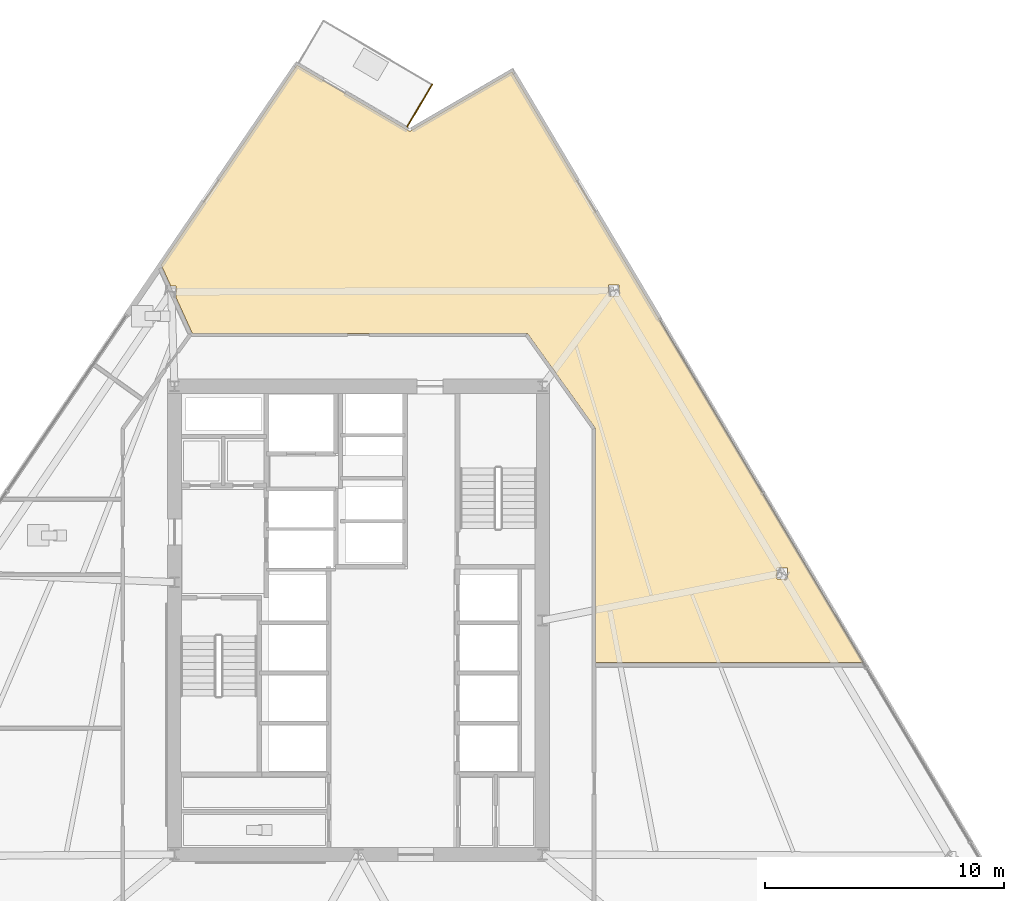
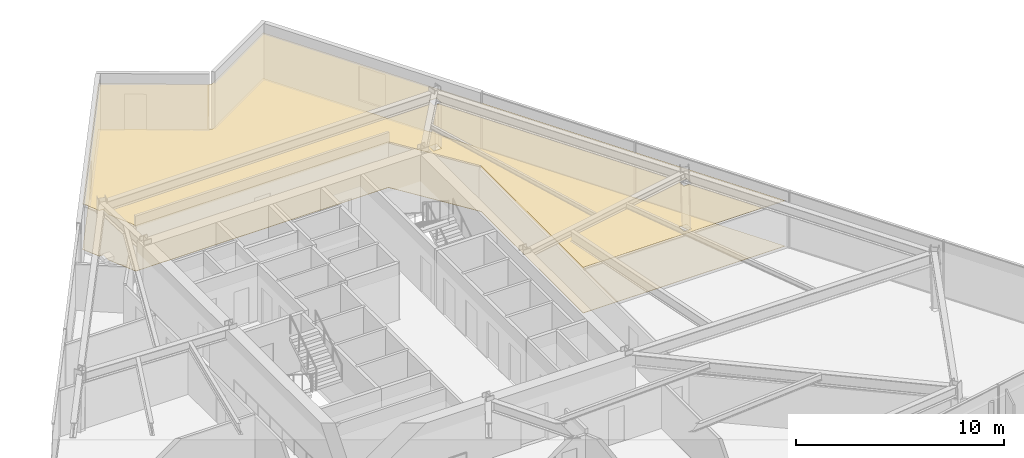
# One storey, part 17 of 18: 2 coverings, 1 railing.
"""IFC4 building model written with IfcOpenShell, lengths in metres."""

from ifc_helpers import new_model, si_unit, direction, frame, origin, origin_2d, place, context, subcontext, project, spatial, polyline, circle, outline, extrude, material, layer, layer_set, type_object, element, save


model = new_model("IFC4")

# Units and contexts
model_context = context("Model", 3, precision=1e-05, world=origin(), true_north=direction((0.0, 1.0)))
body_context = subcontext(model_context, "Body", "Model", "MODEL_VIEW")
ifc_project = project(units=[si_unit("LENGTHUNIT", "METRE"), si_unit("AREAUNIT", "SQUARE_METRE"), si_unit("VOLUMEUNIT", "CUBIC_METRE"), si_unit("PLANEANGLEUNIT", "RADIAN"), si_unit("MASSUNIT", "GRAM", prefix="KILO")], contexts=[model_context])

# Site, building, storey
site_placement = place(None, origin())
site = spatial("IfcSite", under=ifc_project, at=site_placement, CompositionType="ELEMENT")
building_placement = place(site_placement, origin())
building = spatial("IfcBuilding", under=site, at=building_placement, Name="Savorim Split Tower", CompositionType="ELEMENT")
storey_placement = place(building_placement, frame((0.0, 0.0, 40.800048828125)))
storey = spatial("IfcBuildingStorey", under=building, at=storey_placement, Name="L10", CompositionType="ELEMENT", Elevation=40.800048828125)

# Coverings
ifc_material_1 = material(Name="Mineral Fibre Acoustic Ceiling")
ifc_layer_1 = layer(ifc_material_1, 0.02490234375)
ifc_layer_set_1 = layer_set([ifc_layer_1], Name="COV-CEIL-25")
covering_type_1 = type_object("IfcCoveringType", Name="COV-CEIL-25", PredefinedType="CEILING", material=ifc_layer_set_1)
covering_1_placement = place(storey_placement, frame((0.0, 0.0, 2.669921875)))
element("IfcCovering", 1, at=covering_1_placement, inside=storey, type_object=covering_type_1, Name="L10 Co-Working Commons Acoustic Ceiling", PredefinedType="CEILING", context=body_context, shape_type="SweptSolid", body=[
    extrude(outline(polyline([(2.110107421875, 20.895263671875), (2.099365234375, 20.899658203125), (2.089111328125, 20.90478515625), (-2.572509765625, 23.644775390625), (-8.281005859375, 15.253173828125), (-8.249267578125, 15.267578125), (-7.8515625, 14.3935546875), (-7.6318359375, 14.3935546875), (-7.6318359375, 13.927490234375), (-7.639404296875, 13.927490234375), (-6.96630859375, 12.44873046875), (-6.953369140625, 12.419921875), (7.0, 12.419921875), (7.01318359375, 12.41943359375), (7.0263671875, 12.41748046875), (7.039306640625, 12.414306640625), (7.052001953125, 12.409912109375), (7.06396484375, 12.404541015625), (7.075439453125, 12.39794921875), (7.086181640625, 12.39013671875), (7.096435546875, 12.381591796875), (7.105712890625, 12.3720703125), (7.11376953125, 12.361572265625), (9.893798828125, 8.4814453125), (9.901611328125, 8.46923828125), (9.908203125, 8.456298828125), (9.913330078125, 8.44287109375), (9.9169921875, 8.4287109375), (9.919189453125, 8.41455078125), (9.919921875, 8.39990234375), (9.919921875, -1.370361328125), (21.139404296875, -1.370361328125), (6.431396484375, 23.36474609375), (2.21044921875, 20.90478515625), (2.2001953125, 20.8994140625), (2.189453125, 20.89501953125), (2.178466796875, 20.891845703125), (2.1669921875, 20.8896484375), (2.155517578125, 20.888427734375), (2.14404296875, 20.888427734375), (2.132568359375, 20.8896484375), (2.12109375, 20.891845703125), (2.110107421875, 20.895263671875)]), holes=[polyline([(17.9609375, 2.1240234375), (17.9609375, 2.590087890625), (17.52490234375, 2.590087890625), (17.52490234375, 2.1240234375), (17.9609375, 2.1240234375)]), polyline([(10.913330078125, 14.4423828125), (10.477294921875, 14.4423828125), (10.477294921875, 13.976318359375), (10.913330078125, 13.976318359375), (10.913330078125, 14.4423828125)])]), origin(), (0.0, 0.0, 1.0), 0.025146484375),
])
ifc_material_2 = material(Name="Porcelain Stoneware Flooring", Category="masonry")
ifc_layer_2 = layer(ifc_material_2, 0.02001953125)
ifc_layer_set_2 = layer_set([ifc_layer_2], Name="COV-FLOR-20")
covering_type_2 = type_object("IfcCoveringType", Name="COV-FLOR-20", PredefinedType="FLOORING", material=ifc_layer_set_2)
covering_2_placement = place(storey_placement, origin())
element("IfcCovering", 2, at=covering_2_placement, inside=storey, type_object=covering_type_2, Name="L10 Co-Working Commons Porcelain Flooring", PredefinedType="FLOORING", context=body_context, shape_type="SweptSolid", body=[
    extrude(outline(polyline([(2.110107421875, 20.895263671875), (2.099365234375, 20.899658203125), (2.089111328125, 20.90478515625), (-2.572509765625, 23.644775390625), (-8.281005859375, 15.253173828125), (-8.249267578125, 15.267578125), (-7.8515625, 14.3935546875), (-7.6318359375, 14.3935546875), (-7.6318359375, 13.927490234375), (-7.639404296875, 13.927490234375), (-6.96630859375, 12.44873046875), (-6.953369140625, 12.419921875), (7.0, 12.419921875), (7.01318359375, 12.41943359375), (7.0263671875, 12.41748046875), (7.039306640625, 12.414306640625), (7.052001953125, 12.409912109375), (7.06396484375, 12.404541015625), (7.075439453125, 12.39794921875), (7.086181640625, 12.39013671875), (7.096435546875, 12.381591796875), (7.105712890625, 12.3720703125), (7.11376953125, 12.361572265625), (9.893798828125, 8.4814453125), (9.901611328125, 8.46923828125), (9.908203125, 8.456298828125), (9.913330078125, 8.44287109375), (9.9169921875, 8.4287109375), (9.919189453125, 8.41455078125), (9.919921875, 8.39990234375), (9.919921875, -1.370361328125), (21.139404296875, -1.370361328125), (6.431396484375, 23.36474609375), (2.21044921875, 20.90478515625), (2.2001953125, 20.8994140625), (2.189453125, 20.89501953125), (2.178466796875, 20.891845703125), (2.1669921875, 20.8896484375), (2.155517578125, 20.888427734375), (2.14404296875, 20.888427734375), (2.132568359375, 20.8896484375), (2.12109375, 20.891845703125), (2.110107421875, 20.895263671875)]), holes=[polyline([(17.9609375, 2.1240234375), (17.9609375, 2.590087890625), (17.52490234375, 2.590087890625), (17.52490234375, 2.1240234375), (17.9609375, 2.1240234375)]), polyline([(10.913330078125, 14.4423828125), (10.477294921875, 14.4423828125), (10.477294921875, 13.976318359375), (10.913330078125, 13.976318359375), (10.913330078125, 14.4423828125)])]), origin(), (0.0, 0.0, 1.0), 0.02001953125),
])

# Railing
ifc_material_3 = material(Name="Galvanised Painted Steel Balustrade", Category="steel")
railing_type = type_object("IfcRailingType", Name="RLG-BAL-1100", PredefinedType="BALUSTRADE", material=ifc_material_3)
railing_placement = place(storey_placement, frame((3.085205078125, 22.836669921875, 0.0)))
element("IfcRailing", 3, at=railing_placement, inside=storey, type_object=railing_type, Name="L10 Tree Balcony Guardrail N-3", PredefinedType="BALUSTRADE", context=body_context, shape_type="SweptSolid", body=[
    extrude(circle(Radius=0.02392578125, at=origin_2d()), frame((0.0, 0.0, 1.076171875), z_axis=(-0.506681829236, -0.862133124246, 0.0), x_axis=(0.862133124246, -0.506681829236, 0.0)), (0.0, 0.0, 1.0), 2.05029296875),
    extrude(circle(Radius=0.02099609375, at=origin_2d()), origin(), (0.0, 0.0, 1.0), 1.052001953125),
    extrude(circle(Radius=0.02099609375, at=origin_2d()), frame((-0.51953125, -0.8837890625, 0.0)), (0.0, 0.0, 1.0), 1.052001953125),
    extrude(circle(Radius=0.02099609375, at=origin_2d()), frame((-1.038818359375, -1.767578125, 0.0)), (0.0, 0.0, 1.0), 1.052001953125),
])

save(model, "model.ifc")
